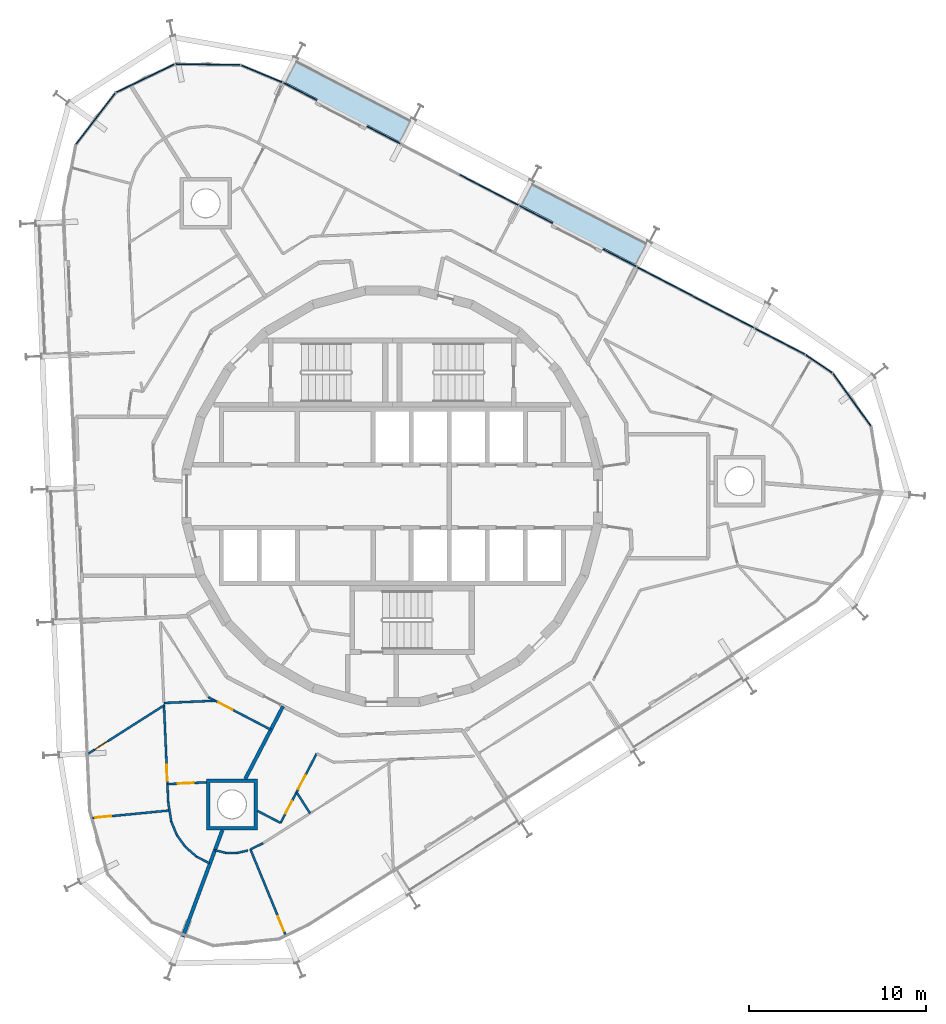
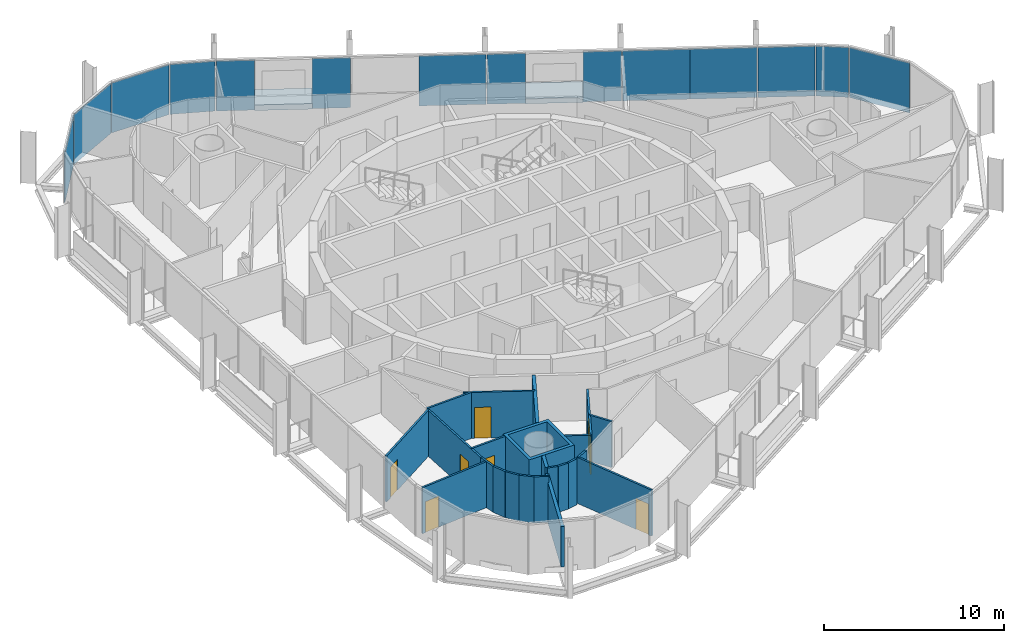
# One storey, part 11 of 18: 23 walls, 14 plates, 8 doors, 2 slabs, 8 openings, 3 elements without a shape of their own.
"""IFC4 building model written with IfcOpenShell, lengths in metres."""

from ifc_helpers import new_model, si_unit, direction, frame, frame_2d, origin, origin_2d, place, context, subcontext, project, spatial, polyline, rectangle, outline, extrude, material, layer, layer_set, type_object, element, fill, aggregate, save


model = new_model("IFC4")

# Units and contexts
model_context = context("Model", 3, precision=1e-05, world=origin(), true_north=direction((0.0, 1.0)))
body_context = subcontext(model_context, "Body", "Model", "MODEL_VIEW")
ifc_project = project(units=[si_unit("LENGTHUNIT", "METRE"), si_unit("AREAUNIT", "SQUARE_METRE"), si_unit("VOLUMEUNIT", "CUBIC_METRE"), si_unit("PLANEANGLEUNIT", "RADIAN"), si_unit("MASSUNIT", "GRAM", prefix="KILO")], contexts=[model_context])

# Site, building, storey
site_placement = place(None, origin())
site = spatial("IfcSite", under=ifc_project, at=site_placement, CompositionType="ELEMENT")
building_placement = place(site_placement, origin())
building = spatial("IfcBuilding", under=site, at=building_placement, Name="Spindle Arch Residences", CompositionType="ELEMENT")
storey_placement = place(building_placement, frame((0.0, 0.0, 233.699951171875)))
storey = spatial("IfcBuildingStorey", under=building, at=storey_placement, Name="L59", CompositionType="ELEMENT", Elevation=233.699951171875)

# Slabs
ifc_material_1 = material(Name="Concrete C40/50", Category="concrete")
ifc_layer_1 = layer(ifc_material_1, 0.3798828125)
ifc_layer_set_1 = layer_set([ifc_layer_1], Name="Balcony slab 380")
slab_type = type_object("IfcSlabType", Name="Balcony slab 380", PredefinedType="FLOOR", material=ifc_layer_set_1)
slab_1_placement = place(storey_placement, frame((0.0, 0.0, -0.3798828125)))
element("IfcSlab", 1, at=slab_1_placement, inside=storey, type_object=slab_type, Name="Balcony L59 bay 7", PredefinedType="FLOOR", context=body_context, shape_type="SweptSolid", body=[
    extrude(outline(polyline([(14.496337890625, 14.419921875), (14.429931640625, 14.45458984375), (14.360595703125, 14.321533203125), (7.947509765625, 17.659912109375), (8.0166015625, 17.79296875), (7.9501953125, 17.82763671875), (7.26220703125, 16.506103515625), (9.115966796875, 15.541015625), (9.042236328125, 15.399169921875), (11.880615234375, 13.92138671875), (11.95458984375, 14.0634765625), (13.808349609375, 13.098388671875), (14.496337890625, 14.419921875)])), origin(), (0.0, 0.0, 1.0), 0.3798828125),
])
slab_2_placement = place(storey_placement, frame((0.0, 0.0, -0.3798828125)))
element("IfcSlab", 2, at=slab_2_placement, inside=storey, type_object=slab_type, Name="Balcony L59 bay 9", PredefinedType="FLOOR", context=body_context, shape_type="SweptSolid", body=[
    extrude(outline(polyline([(1.137939453125, 21.3740234375), (1.0712890625, 21.40869140625), (1.002197265625, 21.275634765625), (-5.4111328125, 24.614013671875), (-5.341796875, 24.7470703125), (-5.408447265625, 24.78173828125), (-6.096435546875, 23.4599609375), (-4.242431640625, 22.494873046875), (-4.31640625, 22.35302734375), (-1.477783203125, 20.87548828125), (-1.404052734375, 21.017333984375), (0.449951171875, 20.05224609375), (1.137939453125, 21.3740234375)])), origin(), (0.0, 0.0, 1.0), 0.3798828125),
])

# Curtain wall, plates
ifc_material_2 = material(Name="Aluminium bronze unitised frame with tinted glass", Category="aluminium")
ifc_layer_2 = layer(ifc_material_2, 0.159912109375)
ifc_layer_set_2 = layer_set([ifc_layer_2], Name="CW-D corner wall on the fillet arcs")
curtain_wall_type_1 = type_object("IfcCurtainWallType", Name="CW-D corner wall on the fillet arcs", PredefinedType="NOTDEFINED", material=ifc_layer_set_2)
curtain_wall_1_placement = place(storey_placement, origin())
curtain_wall_1 = element("IfcCurtainWall", 3, at=curtain_wall_1_placement, inside=storey, type_object=curtain_wall_type_1, Name="CW-D L59 run 1", PredefinedType="NOTDEFINED")
ifc_material_3 = material(Name="Tinted double glazing over aluminium faced non-combustible spandrel zone (K0)", Category="aluminium")
ifc_layer_3 = layer(ifc_material_3, 0.06005859375)
ifc_layer_set_3 = layer_set([ifc_layer_3], Name="Unitised glass panel with E 60 spandrel zone")
plate_type = type_object("IfcPlateType", Name="Unitised glass panel with E 60 spandrel zone", PredefinedType="CURTAIN_PANEL", material=ifc_layer_set_3)
plate_1_placement = place(storey_placement, frame((26.024169921875, 5.460693359375, -0.3798828125), z_axis=(0.0, 0.0, 1.0), x_axis=(-0.585429431289, 0.810723368962, 0.0)))
plate_1 = element("IfcPlate", 4, at=plate_1_placement, type_object=plate_type, Name="CW-D unit 04", PredefinedType="CURTAIN_PANEL", context=body_context, shape_type="SweptSolid", body=[
    extrude(rectangle(XDim=3.666748046875, YDim=0.06005859375, at=origin_2d()), origin(), (0.0, 0.0, 1.0), 3.3798828125),
])
plate_2_placement = place(storey_placement, frame((24.156982421875, 7.498291015625, -0.3798828125), z_axis=(0.0, 0.0, 1.0), x_axis=(-0.827407441981, 0.561602105546, 0.0)))
plate_2 = element("IfcPlate", 5, at=plate_2_placement, type_object=plate_type, Name="CW-D unit 05", PredefinedType="CURTAIN_PANEL", context=body_context, shape_type="SweptSolid", body=[
    extrude(rectangle(XDim=1.816162109375, YDim=0.06005859375, at=origin_2d()), origin(), (0.0, 0.0, 1.0), 3.3798828125),
])
plate_3_placement = place(storey_placement, frame((21.948974609375, 8.770263671875, -0.3798828125), z_axis=(0.0, 0.0, 1.0), x_axis=(-0.887010833178, 0.461748613235, 0.0)))
plate_3 = element("IfcPlate", 6, at=plate_3_placement, type_object=plate_type, Name="CW-D unit 06", PredefinedType="CURTAIN_PANEL", context=body_context, shape_type="SweptSolid", body=[
    extrude(rectangle(XDim=3.16845703125, YDim=0.06005859375, at=origin_2d()), origin(), (0.0, 0.0, 1.0), 3.3798828125),
])
aggregate(curtain_wall_1, [plate_1, plate_2, plate_3])

ifc_material_4 = material(Name="Aluminium bronze unitised frame with tinted glass", Category="aluminium")
ifc_layer_4 = layer(ifc_material_4, 0.159912109375)
ifc_layer_set_4 = layer_set([ifc_layer_4], Name="CW-C typical residential unitised wall")
curtain_wall_type_2 = type_object("IfcCurtainWallType", Name="CW-C typical residential unitised wall", PredefinedType="NOTDEFINED", material=ifc_layer_set_4)
curtain_wall_2_placement = place(storey_placement, origin())
curtain_wall_2 = element("IfcCurtainWall", 7, at=curtain_wall_2_placement, inside=storey, type_object=curtain_wall_type_2, Name="CW-C L59 run 2", PredefinedType="NOTDEFINED")
plate_4_placement = place(storey_placement, frame((18.834228515625, 10.391845703125, -0.3798828125), z_axis=(0.0, 0.0, 1.0), x_axis=(-0.887010833178, 0.461748613235, 0.0)))
plate_4 = element("IfcPlate", 8, at=plate_4_placement, type_object=plate_type, Name="CW-C unit 05A", PredefinedType="CURTAIN_PANEL", context=body_context, shape_type="SweptSolid", body=[
    extrude(rectangle(XDim=3.735107421875, YDim=0.06005859375, at=origin_2d()), origin(), (0.0, 0.0, 1.0), 3.3798828125),
])
plate_5_placement = place(storey_placement, frame((15.52099609375, 12.116455078125, -0.3798828125), z_axis=(0.0, 0.0, 1.0), x_axis=(-0.887010833178, 0.461748613235, 0.0)))
plate_5 = element("IfcPlate", 9, at=plate_5_placement, type_object=plate_type, Name="CW-C unit 05B", PredefinedType="CURTAIN_PANEL", context=body_context, shape_type="SweptSolid", body=[
    extrude(rectangle(XDim=3.735107421875, YDim=0.06005859375, at=origin_2d()), origin(), (0.0, 0.0, 1.0), 3.3798828125),
])
plate_6_placement = place(storey_placement, frame((12.864501953125, 13.49951171875, -0.3798828125), z_axis=(0.0, 0.0, 1.0), x_axis=(-0.887010833178, 0.461748613235, 0.0)))
plate_6 = element("IfcPlate", 10, at=plate_6_placement, type_object=plate_type, Name="CW-C unit 06L", PredefinedType="CURTAIN_PANEL", context=body_context, shape_type="SweptSolid", body=[
    extrude(rectangle(XDim=2.135009765625, YDim=0.06005859375, at=origin_2d()), origin(), (0.0, 0.0, 1.0), 3.3798828125),
])
plate_7_placement = place(storey_placement, frame((8.13232421875, 15.962890625, -0.3798828125), z_axis=(0.0, 0.0, 1.0), x_axis=(-0.887010833178, 0.461748613235, 0.0)))
plate_7 = element("IfcPlate", 11, at=plate_7_placement, type_object=plate_type, Name="CW-C unit 06R", PredefinedType="CURTAIN_PANEL", context=body_context, shape_type="SweptSolid", body=[
    extrude(rectangle(XDim=2.135009765625, YDim=0.06005859375, at=origin_2d()), origin(), (0.0, 0.0, 1.0), 3.3798828125),
])
plate_8_placement = place(storey_placement, frame((5.4755859375, 17.345947265625, -0.3798828125), z_axis=(0.0, 0.0, 1.0), x_axis=(-0.887010833178, 0.461748613235, 0.0)))
plate_8 = element("IfcPlate", 12, at=plate_8_placement, type_object=plate_type, Name="CW-C unit 07A", PredefinedType="CURTAIN_PANEL", context=body_context, shape_type="SweptSolid", body=[
    extrude(rectangle(XDim=3.735107421875, YDim=0.06005859375, at=origin_2d()), origin(), (0.0, 0.0, 1.0), 3.3798828125),
])
plate_9_placement = place(storey_placement, frame((-0.494140625, 20.45361328125, -0.3798828125), z_axis=(0.0, 0.0, 1.0), x_axis=(-0.887010833178, 0.461748613235, 0.0)))
plate_9 = element("IfcPlate", 13, at=plate_9_placement, type_object=plate_type, Name="CW-C unit 08L", PredefinedType="CURTAIN_PANEL", context=body_context, shape_type="SweptSolid", body=[
    extrude(rectangle(XDim=2.135009765625, YDim=0.06005859375, at=origin_2d()), origin(), (0.0, 0.0, 1.0), 3.3798828125),
])
plate_10_placement = place(storey_placement, frame((-5.226318359375, 22.9169921875, -0.3798828125), z_axis=(0.0, 0.0, 1.0), x_axis=(-0.887010833178, 0.461748613235, 0.0)))
plate_10 = element("IfcPlate", 14, at=plate_10_placement, type_object=plate_type, Name="CW-C unit 08R", PredefinedType="CURTAIN_PANEL", context=body_context, shape_type="SweptSolid", body=[
    extrude(rectangle(XDim=2.135009765625, YDim=0.06005859375, at=origin_2d()), origin(), (0.0, 0.0, 1.0), 3.3798828125),
])
aggregate(curtain_wall_2, [plate_4, plate_5, plate_6, plate_7, plate_8, plate_9, plate_10])

curtain_wall_3_placement = place(storey_placement, origin())
curtain_wall_3 = element("IfcCurtainWall", 15, at=curtain_wall_3_placement, inside=storey, type_object=curtain_wall_type_1, Name="CW-D L59 run 3", PredefinedType="NOTDEFINED")
plate_11_placement = place(storey_placement, frame((-7.39501953125, 23.923095703125, -0.3798828125), z_axis=(0.0, 0.0, 1.0), x_axis=(-0.92268610302, 0.385552013734, 0.0)))
plate_11 = element("IfcPlate", 16, at=plate_11_placement, type_object=plate_type, Name="CW-D unit 00", PredefinedType="CURTAIN_PANEL", context=body_context, shape_type="SweptSolid", body=[
    extrude(rectangle(XDim=2.531005859375, YDim=0.06005859375, at=origin_2d()), origin(), (0.0, 0.0, 1.0), 3.3798828125),
])
plate_12_placement = place(storey_placement, frame((-10.45361328125, 24.44970703125, -0.3798828125), z_axis=(0.0, 0.0, 1.0), x_axis=(-0.999894231949, 0.014543896145, 0.0)))
plate_12 = element("IfcPlate", 17, at=plate_12_placement, type_object=plate_type, Name="CW-D unit 01", PredefinedType="CURTAIN_PANEL", context=body_context, shape_type="SweptSolid", body=[
    extrude(rectangle(XDim=3.666748046875, YDim=0.06005859375, at=origin_2d()), origin(), (0.0, 0.0, 1.0), 3.3798828125),
])
plate_13_placement = place(storey_placement, frame((-13.993896484375, 23.664794921875, -0.3798828125), z_axis=(0.0, 0.0, 1.0), x_axis=(-0.900065409075, -0.435754815677, 0.0)))
plate_13 = element("IfcPlate", 18, at=plate_13_placement, type_object=plate_type, Name="CW-D unit 02", PredefinedType="CURTAIN_PANEL", context=body_context, shape_type="SweptSolid", body=[
    extrude(rectangle(XDim=3.666748046875, YDim=0.06005859375, at=origin_2d()), origin(), (0.0, 0.0, 1.0), 3.3798828125),
])
plate_14_placement = place(storey_placement, frame((-16.805419921875, 21.37451171875, -0.3798828125), z_axis=(0.0, 0.0, 1.0), x_axis=(-0.60876142329, -0.793353344679, 0.0)))
plate_14 = element("IfcPlate", 19, at=plate_14_placement, type_object=plate_type, Name="CW-D unit 03", PredefinedType="CURTAIN_PANEL", context=body_context, shape_type="SweptSolid", body=[
    extrude(rectangle(XDim=3.666748046875, YDim=0.06005859375, at=origin_2d()), origin(), (0.0, 0.0, 1.0), 3.3798828125),
])
aggregate(curtain_wall_3, [plate_11, plate_12, plate_13, plate_14])

# Wall, opening, door
ifc_material_5 = material(Name="Plasterboard on steel studs", Category="steel")
ifc_layer_5 = layer(ifc_material_5, 0.1201171875)
ifc_layer_set_5 = layer_set([ifc_layer_5], Name="Flat partition 120")
wall_type_1 = type_object("IfcWallType", Name="Flat partition 120", PredefinedType="PARTITIONING", material=ifc_layer_set_5)
wall_1_placement = place(storey_placement, frame((-10.42138671875, -11.373046875, 0.0), z_axis=(0.0, 0.0, 1.0), x_axis=(0.887006451745, -0.461757029792, 0.0)))
wall_1 = element("IfcWall", 20, at=wall_1_placement, inside=storey, type_object=wall_type_1, Name="Flat partition R6A0-W085", PredefinedType="PARTITIONING", context=body_context, shape_type="SweptSolid", body=[
    extrude(rectangle(XDim=3.992431640625, YDim=0.1201171875, at=frame_2d((1.99609375, 0.0))), origin(), (0.0, 0.0, 1.0), 3.1201171875),
])
opening_1_placement = place(wall_1_placement, frame((0.639404296875, 0.0, 0.0)))
opening_1 = element("IfcOpeningElement", 21, at=opening_1_placement, cuts=wall_1, Name="Opening R6A0-ID14", PredefinedType="OPENING", context=body_context, shape_type="SweptSolid", body=[
    extrude(rectangle(XDim=0.89990234375, YDim=2.10009765625, at=frame_2d((0.449951171875, 1.050048828125))), frame((0.0, 0.070068359375, 0.0), z_axis=(0.0, -1.0, 0.0), x_axis=(1.0, 0.0, 0.0)), (0.0, 0.0, 1.0), 0.14013671875),
])
ifc_material_6 = material(Name="Timber door set", Category="wood")
door_type_1 = type_object("IfcDoorType", Name="Room door 900x2100", OperationType="NOTDEFINED", PredefinedType="DOOR", material=ifc_material_6)
door_1_placement = place(opening_1_placement, origin())
door_1 = element("IfcDoor", 22, at=door_1_placement, inside=storey, type_object=door_type_1, Name="Room door R6A0-ID14", OperationType="SINGLE_SWING_RIGHT", OverallHeight=2.10009765625, OverallWidth=0.89990234375, PredefinedType="DOOR", context=body_context, shape_type="SweptSolid", body=[
    extrude(rectangle(XDim=0.89990234375, YDim=2.10009765625, at=frame_2d((0.449951171875, 1.050048828125))), frame((0.0, 0.02490234375, 0.0), z_axis=(0.0, -1.0, 0.0), x_axis=(1.0, 0.0, 0.0)), (0.0, 0.0, 1.0), 0.050048828125),
])
fill(opening_1, door_1)

wall_2_placement = place(storey_placement, frame((-17.215087890625, -14.56982421875, 0.0), z_axis=(0.0, 0.0, 1.0), x_axis=(0.843396239681, 0.537292083407, 0.0)))
wall_2 = element("IfcWall", 23, at=wall_2_placement, inside=storey, type_object=wall_type_1, Name="Flat partition R6A0-W087", PredefinedType="PARTITIONING", context=body_context, shape_type="SweptSolid", body=[
    extrude(rectangle(XDim=5.08056640625, YDim=0.1201171875, at=frame_2d((2.540283203125, 0.0))), origin(), (0.0, 0.0, 1.0), 3.1201171875),
])
opening_2_placement = place(wall_2_placement, frame((0.39990234375, 0.0, 0.0)))
opening_2 = element("IfcOpeningElement", 24, at=opening_2_placement, cuts=wall_2, Name="Opening R6A0-ID17", PredefinedType="OPENING", context=body_context, shape_type="SweptSolid", body=[
    extrude(rectangle(XDim=0.89990234375, YDim=2.10009765625, at=frame_2d((0.449951171875, 1.050048828125))), frame((0.0, 0.070068359375, 0.0), z_axis=(0.0, -1.0, 0.0), x_axis=(1.0, 0.0, 0.0)), (0.0, 0.0, 1.0), 0.14013671875),
])
door_2_placement = place(opening_2_placement, origin())
door_2 = element("IfcDoor", 25, at=door_2_placement, inside=storey, type_object=door_type_1, Name="Room door R6A0-ID17", OperationType="SINGLE_SWING_LEFT", OverallHeight=2.10009765625, OverallWidth=0.89990234375, PredefinedType="DOOR", context=body_context, shape_type="SweptSolid", body=[
    extrude(rectangle(XDim=0.89990234375, YDim=2.10009765625, at=frame_2d((0.449951171875, 1.050048828125))), frame((0.0, 0.02490234375, 0.0), z_axis=(0.0, -1.0, 0.0), x_axis=(1.0, 0.0, 0.0)), (0.0, 0.0, 1.0), 0.050048828125),
])
fill(opening_2, door_2)

# Wall
wall_3_placement = place(storey_placement, frame((-12.936279296875, -11.70263671875, 0.0), z_axis=(0.0, 0.0, 1.0), x_axis=(0.999046310188, 0.043663143495, 0.0)))
element("IfcWall", 26, at=wall_3_placement, inside=storey, type_object=wall_type_1, Name="Flat partition R6A0-W088", PredefinedType="PARTITIONING", context=body_context, shape_type="SweptSolid", body=[
    extrude(rectangle(XDim=2.907470703125, YDim=0.1201171875, at=frame_2d((1.45361328125, 0.0))), origin(), (0.0, 0.0, 1.0), 3.1201171875),
])

# Wall, opening, door
wall_4_placement = place(storey_placement, frame((-12.689697265625, -17.347412109375, 0.0), z_axis=(0.0, 0.0, 1.0), x_axis=(-0.043618497177, 0.999048260448, 0.0)))
wall_4 = element("IfcWall", 27, at=wall_4_placement, inside=storey, type_object=wall_type_1, Name="Flat partition R6A0-W089", PredefinedType="PARTITIONING", context=body_context, shape_type="SweptSolid", body=[
    extrude(rectangle(XDim=5.552490234375, YDim=0.1201171875, at=frame_2d((2.7763671875, 0.0))), origin(), (0.0, 0.0, 1.0), 3.1201171875),
])
opening_3_placement = place(wall_4_placement, frame((1.25390625, 0.0, 0.0)))
opening_3 = element("IfcOpeningElement", 28, at=opening_3_placement, cuts=wall_4, Name="Opening R6A0-ID15", PredefinedType="OPENING", context=body_context, shape_type="SweptSolid", body=[
    extrude(rectangle(XDim=0.89990234375, YDim=2.10009765625, at=frame_2d((0.449951171875, 1.050048828125))), frame((0.0, 0.070068359375, 0.0), z_axis=(0.0, -1.0, 0.0), x_axis=(1.0, 0.0, 0.0)), (0.0, 0.0, 1.0), 0.14013671875),
])
door_3_placement = place(opening_3_placement, origin())
door_3 = element("IfcDoor", 29, at=door_3_placement, inside=storey, type_object=door_type_1, Name="Room door R6A0-ID15", OperationType="SINGLE_SWING_RIGHT", OverallHeight=2.10009765625, OverallWidth=0.89990234375, PredefinedType="DOOR", context=body_context, shape_type="SweptSolid", body=[
    extrude(rectangle(XDim=0.89990234375, YDim=2.10009765625, at=frame_2d((0.449951171875, 1.050048828125))), frame((0.0, 0.02490234375, 0.0), z_axis=(0.0, -1.0, 0.0), x_axis=(1.0, 0.0, 0.0)), (0.0, 0.0, 1.0), 0.050048828125),
])
fill(opening_3, door_3)

wall_5_placement = place(storey_placement, frame((-17.006591796875, -18.215576171875, 0.0), z_axis=(0.0, 0.0, 1.0), x_axis=(0.995320337688, 0.09663035436, 0.0)))
wall_5 = element("IfcWall", 30, at=wall_5_placement, inside=storey, type_object=wall_type_1, Name="Flat partition R6A0-W090", PredefinedType="PARTITIONING", context=body_context, shape_type="SweptSolid", body=[
    extrude(rectangle(XDim=4.408935546875, YDim=0.1201171875, at=frame_2d((2.20458984375, 0.0))), origin(), (0.0, 0.0, 1.0), 3.1201171875),
])
opening_4_placement = place(wall_5_placement, frame((0.199951171875, 0.0, 0.0)))
opening_4 = element("IfcOpeningElement", 31, at=opening_4_placement, cuts=wall_5, Name="Opening R6A0-ID18", PredefinedType="OPENING", context=body_context, shape_type="SweptSolid", body=[
    extrude(rectangle(XDim=0.89990234375, YDim=2.10009765625, at=frame_2d((0.449951171875, 1.050048828125))), frame((0.0, 0.070068359375, 0.0), z_axis=(0.0, -1.0, 0.0), x_axis=(1.0, 0.0, 0.0)), (0.0, 0.0, 1.0), 0.14013671875),
])
door_4_placement = place(opening_4_placement, origin())
door_4 = element("IfcDoor", 32, at=door_4_placement, inside=storey, type_object=door_type_1, Name="Room door R6A0-ID18", OperationType="SINGLE_SWING_RIGHT", OverallHeight=2.10009765625, OverallWidth=0.89990234375, PredefinedType="DOOR", context=body_context, shape_type="SweptSolid", body=[
    extrude(rectangle(XDim=0.89990234375, YDim=2.10009765625, at=frame_2d((0.449951171875, 1.050048828125))), frame((0.0, 0.02490234375, 0.0), z_axis=(0.0, -1.0, 0.0), x_axis=(1.0, 0.0, 0.0)), (0.0, 0.0, 1.0), 0.050048828125),
])
fill(opening_4, door_4)

# Wall
wall_6_placement = place(storey_placement, frame((-12.5166015625, -18.42041015625, 0.0), z_axis=(0.0, 0.0, 1.0), x_axis=(-0.159260688022, 0.987236563976, 0.0)))
element("IfcWall", 33, at=wall_6_placement, inside=storey, type_object=wall_type_1, Name="Flat partition R6A0-W091", PredefinedType="PARTITIONING", context=body_context, shape_type="SweptSolid", body=[
    extrude(rectangle(XDim=1.0869140625, YDim=0.1201171875, at=frame_2d((0.54345703125, 0.0))), origin(), (0.0, 0.0, 1.0), 3.1201171875),
])

# Wall, opening, door
wall_7_placement = place(storey_placement, frame((-12.735595703125, -16.294677734375, 0.0), z_axis=(0.0, 0.0, 1.0), x_axis=(0.999043796611, 0.043720618177, 0.0)))
wall_7 = element("IfcWall", 34, at=wall_7_placement, inside=storey, type_object=wall_type_1, Name="Flat partition R6A0-W092", PredefinedType="PARTITIONING", context=body_context, shape_type="SweptSolid", body=[
    extrude(rectangle(XDim=2.205810546875, YDim=0.1201171875, at=frame_2d((1.10302734375, 0.0))), origin(), (0.0, 0.0, 1.0), 3.1201171875),
])
opening_5_placement = place(wall_7_placement, frame((0.60009765625, 0.0, 0.0)))
opening_5 = element("IfcOpeningElement", 35, at=opening_5_placement, cuts=wall_7, Name="Opening R6A0-ID16", PredefinedType="OPENING", context=body_context, shape_type="SweptSolid", body=[
    extrude(rectangle(XDim=0.89990234375, YDim=2.10009765625, at=frame_2d((0.449951171875, 1.050048828125))), frame((0.0, 0.070068359375, 0.0), z_axis=(0.0, -1.0, 0.0), x_axis=(1.0, 0.0, 0.0)), (0.0, 0.0, 1.0), 0.14013671875),
])
door_5_placement = place(opening_5_placement, origin())
door_5 = element("IfcDoor", 36, at=door_5_placement, inside=storey, type_object=door_type_1, Name="Room door R6A0-ID16", OperationType="SINGLE_SWING_RIGHT", OverallHeight=2.10009765625, OverallWidth=0.89990234375, PredefinedType="DOOR", context=body_context, shape_type="SweptSolid", body=[
    extrude(rectangle(XDim=0.89990234375, YDim=2.10009765625, at=frame_2d((0.449951171875, 1.050048828125))), frame((0.0, 0.02490234375, 0.0), z_axis=(0.0, -1.0, 0.0), x_axis=(1.0, 0.0, 0.0)), (0.0, 0.0, 1.0), 0.050048828125),
])
fill(opening_5, door_5)

# Walls
for number, where, z_axis, x_axis, name in (
    (37, (-10.351806640625, -20.782958984375, 0.0), (0.0, 0.0, 1.0), (-0.886941739106, 0.461881317475, 0.0), "Flat partition R6A0-W093"),
    (38, (-11.0869140625, -20.400146484375, 0.0), (0.0, 0.0, 1.0), (-0.756776639981, 0.653673555515, 0.0), "Flat partition R6A0-W094"),
):
    element("IfcWall", number, at=place(storey_placement, frame(where, z_axis=z_axis, x_axis=x_axis)), inside=storey, type_object=wall_type_1, Name=name, PredefinedType="PARTITIONING", context=body_context, shape_type="SweptSolid", body=[
        extrude(rectangle(XDim=0.828857421875, YDim=0.1201171875, at=frame_2d((0.41455078125, 0.0))), origin(), (0.0, 0.0, 1.0), 3.1201171875),
    ])
wall_8_placement = place(storey_placement, frame((-11.714111328125, -19.8583984375, 0.0), z_axis=(0.0, 0.0, 1.0), x_axis=(-0.585436792562, 0.810718053281, 0.0)))
element("IfcWall", 39, at=wall_8_placement, inside=storey, type_object=wall_type_1, Name="Flat partition R6A0-W095", PredefinedType="PARTITIONING", context=body_context, shape_type="SweptSolid", body=[
    extrude(rectangle(XDim=0.8291015625, YDim=0.1201171875, at=frame_2d((0.41455078125, 0.0))), origin(), (0.0, 0.0, 1.0), 3.1201171875),
])
wall_9_placement = place(storey_placement, frame((-12.199462890625, -19.186279296875, 0.0), z_axis=(0.0, 0.0, 1.0), x_axis=(-0.382585904135, 0.923919923996, 0.0)))
element("IfcWall", 40, at=wall_9_placement, inside=storey, type_object=wall_type_1, Name="Flat partition R6A0-W096", PredefinedType="PARTITIONING", context=body_context, shape_type="SweptSolid", body=[
    extrude(rectangle(XDim=0.828857421875, YDim=0.1201171875, at=frame_2d((0.41455078125, 0.0))), origin(), (0.0, 0.0, 1.0), 3.1201171875),
])
wall_10_placement = place(storey_placement, frame((-7.632080078125, -17.815185546875, 0.0), z_axis=(0.0, 0.0, 1.0), x_axis=(0.886960889958, -0.461844540602, 0.0)))
element("IfcWall", 41, at=wall_10_placement, inside=storey, type_object=wall_type_1, Name="Flat partition R6A0-W097", PredefinedType="PARTITIONING", context=body_context, shape_type="SweptSolid", body=[
    extrude(rectangle(XDim=1.468994140625, YDim=0.1201171875, at=frame_2d((0.734375, 0.0))), origin(), (0.0, 0.0, 1.0), 3.1201171875),
])

# Wall, openings, doors
wall_11_placement = place(storey_placement, frame((-6.3291015625, -18.49365234375, 0.0), z_axis=(0.0, 0.0, 1.0), x_axis=(0.461759058182, 0.887005395805, 0.0)))
wall_11 = element("IfcWall", 42, at=wall_11_placement, inside=storey, type_object=wall_type_1, Name="Flat partition R6A0-W098", PredefinedType="PARTITIONING", context=body_context, shape_type="SweptSolid", body=[
    extrude(rectangle(XDim=4.426513671875, YDim=0.1201171875, at=frame_2d((2.21337890625, 0.0))), origin(), (0.0, 0.0, 1.0), 3.1201171875),
])
opening_6_placement = place(wall_11_placement, frame((0.60009765625, 0.0, 0.0)))
opening_6 = element("IfcOpeningElement", 43, at=opening_6_placement, cuts=wall_11, Name="Opening R6A0-BD06", PredefinedType="OPENING", context=body_context, shape_type="SweptSolid", body=[
    extrude(rectangle(XDim=0.800048828125, YDim=2.10009765625, at=frame_2d((0.39990234375, 1.050048828125))), frame((0.0, 0.070068359375, 0.0), z_axis=(0.0, -1.0, 0.0), x_axis=(1.0, 0.0, 0.0)), (0.0, 0.0, 1.0), 0.14013671875),
])
opening_7_placement = place(wall_11_placement, frame((2.160888671875, 0.0, 0.0)))
opening_7 = element("IfcOpeningElement", 44, at=opening_7_placement, cuts=wall_11, Name="Opening R6A0-ID19", PredefinedType="OPENING", context=body_context, shape_type="SweptSolid", body=[
    extrude(rectangle(XDim=0.89990234375, YDim=2.10009765625, at=frame_2d((0.449951171875, 1.050048828125))), frame((0.0, 0.070068359375, 0.0), z_axis=(0.0, -1.0, 0.0), x_axis=(1.0, 0.0, 0.0)), (0.0, 0.0, 1.0), 0.14013671875),
])
ifc_material_7 = material(Name="Timber door set", Category="wood")
door_type_2 = type_object("IfcDoorType", Name="Bathroom door 800x2100", OperationType="NOTDEFINED", PredefinedType="DOOR", material=ifc_material_7)
door_6_placement = place(opening_6_placement, origin())
door_6 = element("IfcDoor", 45, at=door_6_placement, inside=storey, type_object=door_type_2, Name="Bathroom door R6A0-BD06", OperationType="SINGLE_SWING_LEFT", OverallHeight=2.10009765625, OverallWidth=0.800048828125, PredefinedType="DOOR", context=body_context, shape_type="SweptSolid", body=[
    extrude(rectangle(XDim=0.800048828125, YDim=2.10009765625, at=frame_2d((0.39990234375, 1.050048828125))), frame((0.0, 0.02490234375, 0.0), z_axis=(0.0, -1.0, 0.0), x_axis=(1.0, 0.0, 0.0)), (0.0, 0.0, 1.0), 0.050048828125),
])
fill(opening_6, door_6)
door_7_placement = place(opening_7_placement, origin())
door_7 = element("IfcDoor", 46, at=door_7_placement, inside=storey, type_object=door_type_1, Name="Room door R6A0-ID19", OperationType="SINGLE_SWING_LEFT", OverallHeight=2.10009765625, OverallWidth=0.89990234375, PredefinedType="DOOR", context=body_context, shape_type="SweptSolid", body=[
    extrude(rectangle(XDim=0.89990234375, YDim=2.10009765625, at=frame_2d((0.449951171875, 1.050048828125))), frame((0.0, 0.02490234375, 0.0), z_axis=(0.0, -1.0, 0.0), x_axis=(1.0, 0.0, 0.0)), (0.0, 0.0, 1.0), 0.050048828125),
])
fill(opening_7, door_7)

# Walls
wall_12_placement = place(storey_placement, frame((-10.0439453125, -20.03564453125, 0.0), z_axis=(0.0, 0.0, 1.0), x_axis=(0.969630684539, -0.24457378355, 0.0)))
element("IfcWall", 47, at=wall_12_placement, inside=storey, type_object=wall_type_1, Name="Flat partition R6A0-W101", PredefinedType="PARTITIONING", context=body_context, shape_type="SweptSolid", body=[
    extrude(rectangle(XDim=0.619873046875, YDim=0.1201171875, at=frame_2d((0.31005859375, 0.0))), origin(), (0.0, 0.0, 1.0), 3.1201171875),
])
for number, where, z_axis, x_axis, name in (
    (48, (-9.44287109375, -20.187255859375, 0.0), (0.0, 0.0, 1.0), (0.999895554921, -0.014452655415, 0.0), "Flat partition R6A0-W102"),
    (49, (-8.801025390625, -20.196533203125, 0.0), (0.0, 0.0, 1.0), (0.976303255585, 0.216406915632, 0.0), "Flat partition R6A0-W103"),
):
    element("IfcWall", number, at=place(storey_placement, frame(where, z_axis=z_axis, x_axis=x_axis)), inside=storey, type_object=wall_type_1, Name=name, PredefinedType="PARTITIONING", context=body_context, shape_type="SweptSolid", body=[
        extrude(rectangle(XDim=0.641845703125, YDim=0.1201171875, at=frame_2d((0.32080078125, 0.0))), origin(), (0.0, 0.0, 1.0), 3.1201171875),
    ])
wall_13_placement = place(storey_placement, frame((-4.661865234375, -17.9501953125, 0.0), z_axis=(0.0, 0.0, 1.0), x_axis=(-0.537254271207, 0.843420327043, 0.0)))
element("IfcWall", 50, at=wall_13_placement, inside=storey, type_object=wall_type_1, Name="Flat partition R6A0-W104", PredefinedType="PARTITIONING", context=body_context, shape_type="SweptSolid", body=[
    extrude(rectangle(XDim=1.417724609375, YDim=0.1201171875, at=frame_2d((0.708984375, 0.0))), origin(), (0.0, 0.0, 1.0), 3.1201171875),
])
wall_14_placement = place(storey_placement, frame((-8.03662109375, -19.990966796875, 0.0), z_axis=(0.0, 0.0, 1.0), x_axis=(0.900073671326, 0.435737749323, 0.0)))
element("IfcWall", 51, at=wall_14_placement, inside=storey, type_object=wall_type_1, Name="Flat partition R6A0-W105", PredefinedType="PARTITIONING", context=body_context, shape_type="SweptSolid", body=[
    extrude(rectangle(XDim=0.7939453125, YDim=0.1201171875, at=frame_2d((0.39697265625, 0.0))), origin(), (0.0, 0.0, 1.0), 3.1201171875),
])

# Wall, opening, door
wall_15_placement = place(storey_placement, frame((-6.056640625, -24.809814453125, 0.0), z_axis=(0.0, 0.0, 1.0), x_axis=(-0.380052033163, 0.924965108579, 0.0)))
wall_15 = element("IfcWall", 52, at=wall_15_placement, inside=storey, type_object=wall_type_1, Name="Flat partition R6A0-W107", PredefinedType="PARTITIONING", context=body_context, shape_type="SweptSolid", body=[
    extrude(rectangle(XDim=5.209716796875, YDim=0.1201171875, at=frame_2d((2.60498046875, 0.0))), origin(), (0.0, 0.0, 1.0), 3.1201171875),
])
opening_8_placement = place(wall_15_placement, frame((0.199951171875, 0.0, 0.0)))
opening_8 = element("IfcOpeningElement", 53, at=opening_8_placement, cuts=wall_15, Name="Opening R6A0-ID22", PredefinedType="OPENING", context=body_context, shape_type="SweptSolid", body=[
    extrude(rectangle(XDim=0.89990234375, YDim=2.10009765625, at=frame_2d((0.449951171875, 1.050048828125))), frame((0.0, 0.070068359375, 0.0), z_axis=(0.0, -1.0, 0.0), x_axis=(1.0, 0.0, 0.0)), (0.0, 0.0, 1.0), 0.14013671875),
])
door_8_placement = place(opening_8_placement, origin())
door_8 = element("IfcDoor", 54, at=door_8_placement, inside=storey, type_object=door_type_1, Name="Room door R6A0-ID22", OperationType="SINGLE_SWING_LEFT", OverallHeight=2.10009765625, OverallWidth=0.89990234375, PredefinedType="DOOR", context=body_context, shape_type="SweptSolid", body=[
    extrude(rectangle(XDim=0.89990234375, YDim=2.10009765625, at=frame_2d((0.449951171875, 1.050048828125))), frame((0.0, 0.02490234375, 0.0), z_axis=(0.0, -1.0, 0.0), x_axis=(1.0, 0.0, 0.0)), (0.0, 0.0, 1.0), 0.050048828125),
])
fill(opening_8, door_8)

# Walls
ifc_material_8 = material(Name="Calcium silicate block, plastered")
ifc_layer_6 = layer(ifc_material_8, 0.199951171875)
ifc_layer_set_6 = layer_set([ifc_layer_6], Name="Flat party wall 200")
wall_type_2 = type_object("IfcWallType", Name="Flat party wall 200", PredefinedType="STANDARD", material=ifc_layer_set_6)
wall_16_placement = place(storey_placement, frame((-8.325927734375, -15.996337890625, 0.0), z_axis=(0.0, 0.0, 1.0), x_axis=(0.461739255077, 0.887015704664, 0.0)))
element("IfcWall", 55, at=wall_16_placement, inside=storey, type_object=wall_type_2, Name="Flat party wall R6A0-W037", PredefinedType="STANDARD", context=body_context, shape_type="SweptSolid", body=[
    extrude(rectangle(XDim=4.63330078125, YDim=0.199951171875, at=frame_2d((2.316650390625, 0.0))), origin(), (0.0, 0.0, 1.0), 3.1201171875),
])
wall_17_placement = place(storey_placement, frame((-10.0439453125, -20.03564453125, 0.0), z_axis=(0.0, 0.0, 1.0), x_axis=(0.348282344491, 0.937389678051, 0.0)))
element("IfcWall", 56, at=wall_17_placement, inside=storey, type_object=wall_type_2, Name="Flat party wall R6A0-W039", PredefinedType="STANDARD", context=body_context, shape_type="SweptSolid", body=[
    extrude(rectangle(XDim=1.215576171875, YDim=0.199951171875, at=frame_2d((0.60791015625, 0.0))), origin(), (0.0, 0.0, 1.0), 3.1201171875),
])
ifc_material_9 = material(Name="Calcium silicate block, plastered")
ifc_layer_7 = layer(ifc_material_9, 0.199951171875)
ifc_layer_set_7 = layer_set([ifc_layer_7], Name="Flat party wall 200 under beam 2730")
wall_type_3 = type_object("IfcWallType", Name="Flat party wall 200 under beam 2730", PredefinedType="STANDARD", material=ifc_layer_set_7)
wall_18_placement = place(storey_placement, frame((-11.865478515625, -24.93896484375, 0.0), z_axis=(0.0, 0.0, 1.0), x_axis=(0.348236919929, 0.937406554062, 0.0)))
element("IfcWall", 57, at=wall_18_placement, inside=storey, type_object=wall_type_3, Name="Flat party wall R6A0-W038", PredefinedType="STANDARD", context=body_context, shape_type="SweptSolid", body=[
    extrude(rectangle(XDim=5.230712890625, YDim=0.199951171875, at=frame_2d((2.615234375, 0.0))), origin(), (0.0, 0.0, 1.0), 2.72998046875),
])
ifc_material_10 = material(Name="Calcium silicate block, plastered")
ifc_layer_8 = layer(ifc_material_10, 0.199951171875)
ifc_layer_set_8 = layer_set([ifc_layer_8], Name="Mega-column casing wall 200")
wall_type_4 = type_object("IfcWallType", Name="Mega-column casing wall 200", PredefinedType="STANDARD", material=ifc_layer_set_8)
wall_19_placement = place(storey_placement, origin())
element("IfcWall", 58, at=wall_19_placement, inside=storey, type_object=wall_type_4, Name="Mega-column casing wall R6A0-WC03", PredefinedType="STANDARD", context=body_context, shape_type="SweptSolid", body=[
    extrude(outline(polyline([(-7.632080078125, -15.996337890625), (-7.632080078125, -18.896240234375), (-10.531982421875, -18.896240234375), (-10.531982421875, -15.996337890625), (-7.632080078125, -15.996337890625)]), holes=[polyline([(-10.33203125, -18.6962890625), (-7.83203125, -18.6962890625), (-7.83203125, -16.1962890625), (-10.33203125, -16.1962890625), (-10.33203125, -18.6962890625)])]), origin(), (0.0, 0.0, 1.0), 3.1201171875),
])

save(model, "model.ifc")
